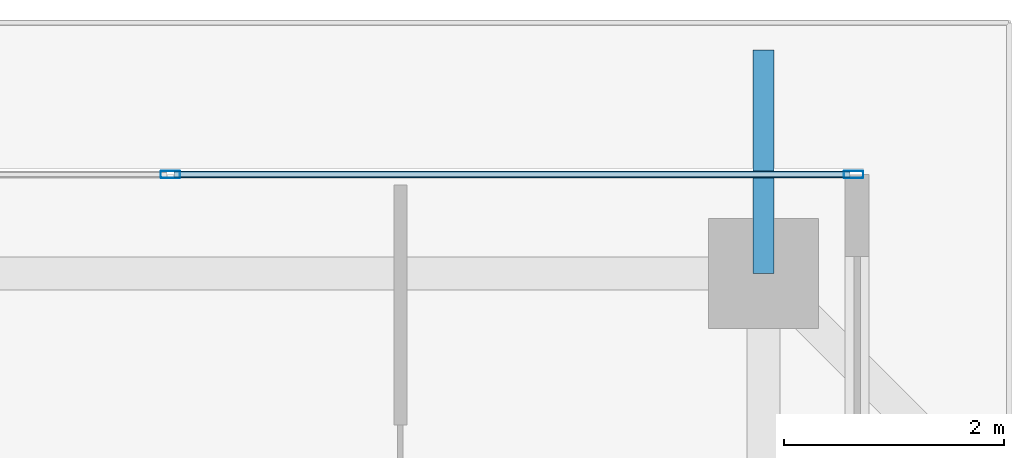
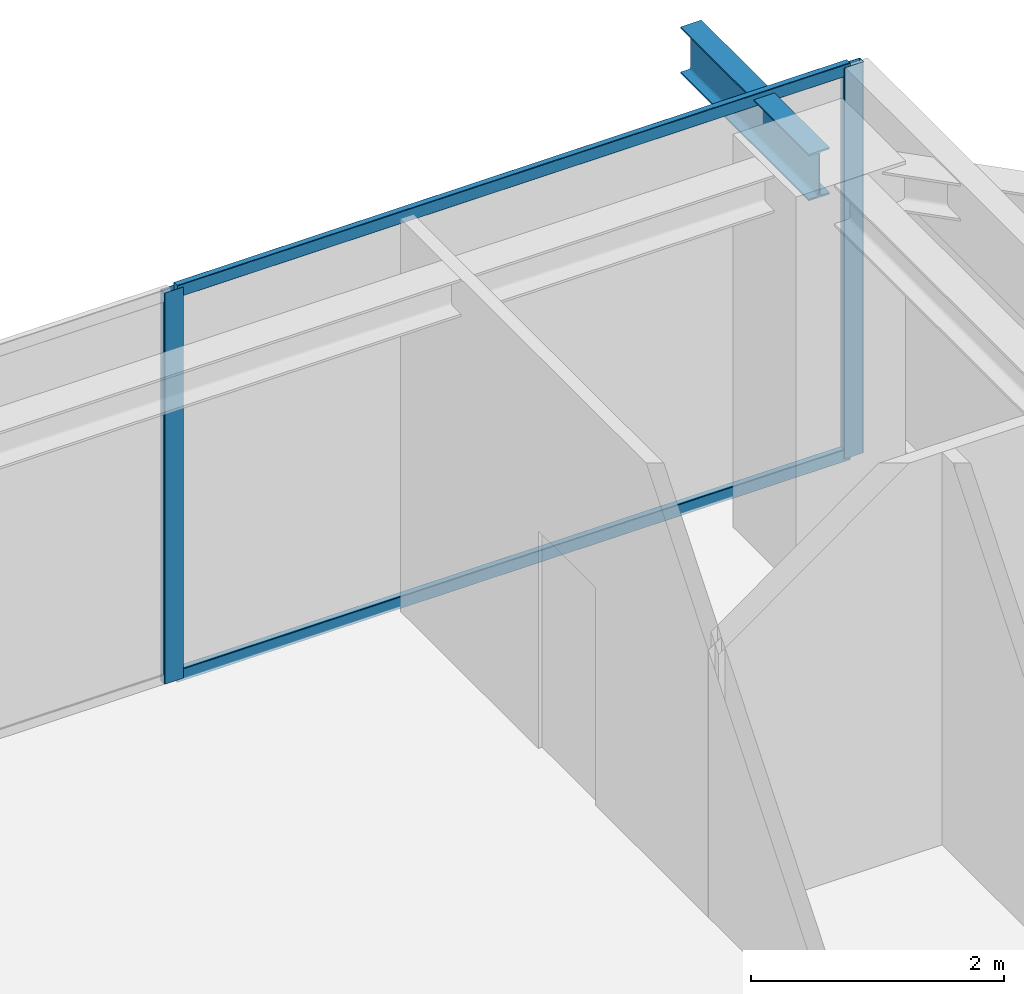
# One storey, part 28 of 41: 4 members, 1 beam, 1 element without a shape of its own.
"""IFC4 building model written with IfcOpenShell, lengths in metres."""

from ifc_helpers import new_model, si_unit, direction, frame, origin, origin_2d, place, context, subcontext, project, spatial, hollow_rectangle, i_section, extrude, source, transform, mapped, material, layer, layer_set, material_profile, profile_set, type_object, element, aggregate, save


model = new_model("IFC4")

# Units and contexts
model_context = context("Model", 3, precision=1e-05, world=origin(), true_north=direction((0.0, 1.0)))
body_context = subcontext(model_context, "Body", "Model", "MODEL_VIEW")
ifc_project = project(units=[si_unit("LENGTHUNIT", "METRE"), si_unit("AREAUNIT", "SQUARE_METRE"), si_unit("VOLUMEUNIT", "CUBIC_METRE"), si_unit("PLANEANGLEUNIT", "RADIAN"), si_unit("MASSUNIT", "GRAM", prefix="KILO")], contexts=[model_context])

# Site, building, storey
site_placement = place(None, origin())
site = spatial("IfcSite", under=ifc_project, at=site_placement, CompositionType="ELEMENT")
building_placement = place(site_placement, origin())
building = spatial("IfcBuilding", under=site, at=building_placement, Name="Serunith Strait Residences", CompositionType="ELEMENT")
storey_placement = place(building_placement, frame((0.0, 0.0, 301.550048828125)))
storey = spatial("IfcBuildingStorey", under=building, at=storey_placement, Name="L75", CompositionType="ELEMENT", Elevation=301.550048828125)

# Beam
ifc_material_1 = material(Name="Steel S355J2", Category="steel")
ifc_material_profile_1 = material_profile(ifc_material_1, i_section(OverallWidth=0.18994140625, OverallDepth=0.449951171875, WebThickness=0.009521484375, FlangeThickness=0.0146484375, FilletRadius=0.02099609375, at=origin_2d()), Name="IPE 450")
ifc_profile_set_1 = profile_set([ifc_material_profile_1], Name="Steel S355J2")
beam_type = type_object("IfcBeamType", Name="BM-IPE450", PredefinedType="JOIST", material=ifc_profile_set_1)
shared_shape_1 = source(origin(), body_context, "Body", "SweptSolid", [
    extrude(i_section(OverallWidth=0.18994140625, OverallDepth=0.449951171875, WebThickness=0.009521484375, FlangeThickness=0.0146484375, FilletRadius=0.02099609375, at=origin_2d()), origin(), (0.0, 0.0, 1.0), 2.02978515625),
])
beam_placement = place(storey_placement, frame((47.14990234375, 47.10009765625, 3.531982421875), z_axis=(0.0, 1.0, 0.0), x_axis=(-1.0, 0.0, 0.0)))
element("IfcBeam", 1, at=beam_placement, inside=storey, type_object=beam_type, Name="L76 Cantilevered Balcony Rib TC-N4", PredefinedType="JOIST", context=body_context, shape_type="MappedRepresentation", body=[
    mapped(shared_shape_1, transform((0.0, 0.0, 0.0), scale=1.0)),
])

# Curtain wall, members
ifc_material_2 = material(Name="Brushed Stainless-Silver Aluminium", Category="aluminium")
ifc_layer = layer(ifc_material_2, 0.199951171875, Name="Brushed Stainless-Silver Aluminium")
ifc_layer_set = layer_set([ifc_layer], Name="Brushed Stainless-Silver Aluminium")
curtain_wall_type = type_object("IfcCurtainWallType", Name="CW-SYS5", PredefinedType="NOTDEFINED", material=ifc_layer_set)
curtain_wall_placement = place(storey_placement, origin())
curtain_wall = element("IfcCurtainWall", 2, at=curtain_wall_placement, inside=storey, type_object=curtain_wall_type, Name="L75 N Unitised Fritted Curtain Wall", PredefinedType="NOTDEFINED")
ifc_material_profile_2 = material_profile(ifc_material_2, hollow_rectangle(XDim=0.06005859375, YDim=0.1201171875, WallThickness=0.00341796875, InnerFilletRadius=0.00537109375, OuterFilletRadius=0.0087890625, at=origin_2d()), Name="ALU 120x60x3.5")
ifc_profile_set_2 = profile_set([ifc_material_profile_2], Name="Brushed Stainless-Silver Aluminium")
member_type_1 = type_object("IfcMemberType", Name="CW-SYS5-TRAN", PredefinedType="USERDEFINED", material=ifc_profile_set_2)
shared_shape_2 = source(origin(), body_context, "Body", "SweptSolid", [
    extrude(hollow_rectangle(XDim=0.06005859375, YDim=0.1201171875, WallThickness=0.00341796875, InnerFilletRadius=0.00537109375, OuterFilletRadius=0.0087890625, at=origin_2d()), origin(), (0.0, 0.0, 1.0), 6.142578125),
])
member_1_placement = place(storey_placement, frame((47.93505859375, 48.0, 0.030029296875), z_axis=(-1.0, 0.0, 0.0), x_axis=(0.0, -1.0, 0.0)))
member_1 = element("IfcMember", 3, at=member_1_placement, type_object=member_type_1, Name="CW-5 transom 1.1", ObjectType="TRANSOM", PredefinedType="USERDEFINED", context=body_context, shape_type="MappedRepresentation", body=[
    mapped(shared_shape_2, transform((0.0, 0.0, 0.0), scale=1.0)),
])
member_2_placement = place(storey_placement, frame((47.93505859375, 48.0, 3.744873046875), z_axis=(-1.0, 0.0, 0.0), x_axis=(0.0, -1.0, 0.0)))
member_2 = element("IfcMember", 4, at=member_2_placement, type_object=member_type_1, Name="CW-5 transom 1.2", ObjectType="TRANSOM", PredefinedType="USERDEFINED", context=body_context, shape_type="MappedRepresentation", body=[
    mapped(shared_shape_2, transform((0.0, 0.0, 0.0), scale=1.0)),
])
ifc_material_profile_3 = material_profile(ifc_material_2, hollow_rectangle(XDim=0.06494140625, YDim=0.179931640625, WallThickness=0.00341796875, InnerFilletRadius=0.00537109375, OuterFilletRadius=0.0087890625, at=origin_2d()), Name="ALU 180x65x3.5")
ifc_profile_set_3 = profile_set([ifc_material_profile_3], Name="Brushed Stainless-Silver Aluminium")
member_type_2 = type_object("IfcMemberType", Name="CW-SYS5-MULL", PredefinedType="MULLION", material=ifc_profile_set_3)
shared_shape_3 = source(origin(), body_context, "Body", "SweptSolid", [
    extrude(hollow_rectangle(XDim=0.06494140625, YDim=0.179931640625, WallThickness=0.00341796875, InnerFilletRadius=0.00537109375, OuterFilletRadius=0.0087890625, at=origin_2d()), origin(), (0.0, 0.0, 1.0), 3.77490234375),
])
member_3_placement = place(storey_placement, frame((47.967529296875, 48.0, 0.0), z_axis=(0.0, 0.0, 1.0), x_axis=(0.0, -1.0, 0.0)))
member_3 = element("IfcMember", 5, at=member_3_placement, type_object=member_type_2, Name="CW-5 mullion 1", PredefinedType="MULLION", context=body_context, shape_type="MappedRepresentation", body=[
    mapped(shared_shape_3, transform((0.0, 0.0, 0.0), scale=1.0)),
])
member_4_placement = place(storey_placement, frame((41.760009765625, 48.0, 0.0), z_axis=(0.0, 0.0, 1.0), x_axis=(0.0, -1.0, 0.0)))
member_4 = element("IfcMember", 6, at=member_4_placement, type_object=member_type_2, Name="CW-5 mullion 2", PredefinedType="MULLION", context=body_context, shape_type="MappedRepresentation", body=[
    mapped(shared_shape_3, transform((0.0, 0.0, 0.0), scale=1.0)),
])
aggregate(curtain_wall, [member_3, member_4, member_1, member_2])

save(model, "model.ifc")
